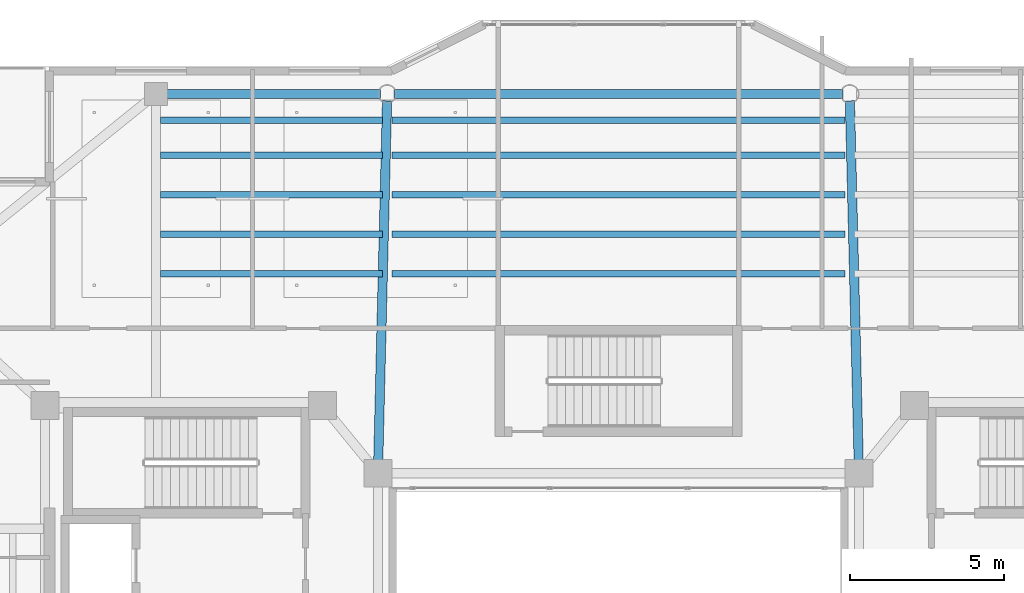
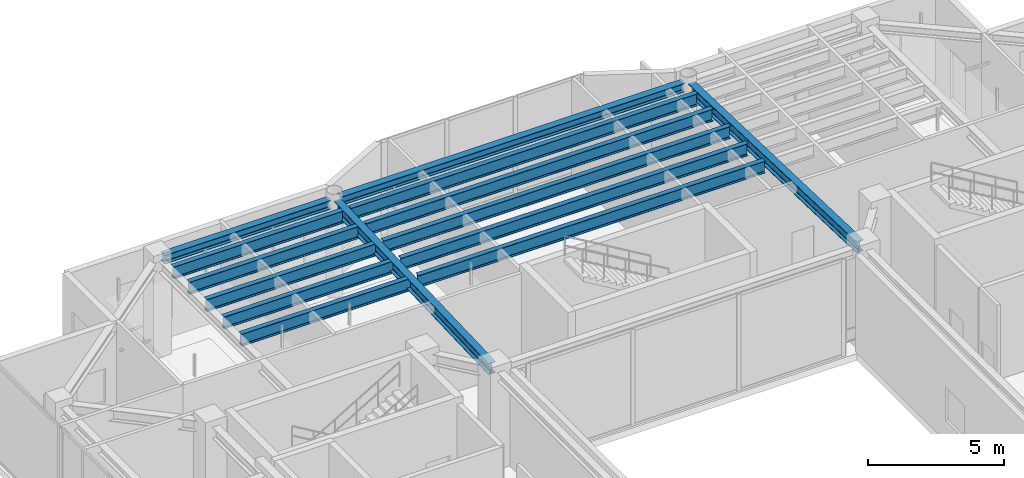
# One storey, part 18 of 34: 14 beams.
"""IFC4 building model written with IfcOpenShell, lengths in metres."""

from ifc_helpers import new_model, si_unit, direction, frame, origin, origin_2d, place, context, subcontext, project, spatial, i_section, extrude, material, material_profile, profile_set, type_object, element, save


model = new_model("IFC4")

# Units and contexts
model_context = context("Model", 3, precision=1e-05, world=origin(), true_north=direction((0.0, 1.0)))
body_context = subcontext(model_context, "Body", "Model", "MODEL_VIEW")
ifc_project = project(units=[si_unit("LENGTHUNIT", "METRE"), si_unit("AREAUNIT", "SQUARE_METRE"), si_unit("VOLUMEUNIT", "CUBIC_METRE"), si_unit("PLANEANGLEUNIT", "RADIAN"), si_unit("MASSUNIT", "GRAM", prefix="KILO")], contexts=[model_context])

# Site, building, storey
site_placement = place(None, origin())
site = spatial("IfcSite", under=ifc_project, at=site_placement, CompositionType="ELEMENT")
building_placement = place(site_placement, origin())
building = spatial("IfcBuilding", under=site, at=building_placement, Name="Tarnavaz Court Tower", CompositionType="ELEMENT")
storey_placement = place(building_placement, frame((0.0, 0.0, 231.75)))
storey = spatial("IfcBuildingStorey", under=building, at=storey_placement, Name="L63", CompositionType="ELEMENT", Elevation=231.75)

# Beams
ifc_material = material(Name="Steel S355", Category="steel")
ifc_material_profile_1 = material_profile(ifc_material, i_section(OverallWidth=0.300048828125, OverallDepth=0.5, WebThickness=0.014404296875, FlangeThickness=0.028076171875, FilletRadius=0.027099609375, at=origin_2d()), Name="HEB 500")
ifc_profile_set_1 = profile_set([ifc_material_profile_1], Name="Steel S355")
beam_type_1 = type_object("IfcBeamType", Name="BM-G-HEB500", PredefinedType="USERDEFINED", material=ifc_profile_set_1)
for number, where, z_axis, x_axis, name in (
    (1, (-7.794677734375, 8.02001953125, 4.10009765625), (0.024386002211, 0.99970261723, 0.0), (-0.99970261723, 0.024386002211, 0.0), "L63 Beam RG-02"),
    (2, (7.794677734375, 8.02001953125, 4.10009765625), (-0.024386002211, 0.99970261723, 0.0), (-0.99970261723, -0.024386002211, 0.0), "L63 Beam RG-03"),
):
    element("IfcBeam", number, at=place(storey_placement, frame(where, z_axis=z_axis, x_axis=x_axis)), inside=storey, type_object=beam_type_1, Name=name, ObjectType="GIRDER", PredefinedType="USERDEFINED", context=body_context, shape_type="SweptSolid", body=[
        extrude(i_section(OverallWidth=0.300048828125, OverallDepth=0.5, WebThickness=0.014404296875, FlangeThickness=0.028076171875, FilletRadius=0.027099609375, at=origin_2d()), origin(), (0.0, 0.0, 1.0), 11.863525390625),
    ])
ifc_material_profile_2 = material_profile(ifc_material, i_section(OverallWidth=0.2099609375, OverallDepth=0.550048828125, WebThickness=0.010986328125, FlangeThickness=0.01708984375, FilletRadius=0.02392578125, at=origin_2d()), Name="IPE 550")
ifc_profile_set_2 = profile_set([ifc_material_profile_2], Name="Steel S355")
beam_type_2 = type_object("IfcBeamType", Name="BM-J-IPE550", PredefinedType="JOIST", material=ifc_profile_set_2)
beam_1_placement = place(storey_placement, frame((-14.85009765625, 14.278076171875, 4.074951171875), z_axis=(1.0, 0.0, 0.0), x_axis=(0.0, 1.0, 0.0)))
element("IfcBeam", 3, at=beam_1_placement, inside=storey, type_object=beam_type_2, Name="L63 Beam JN1-1", PredefinedType="JOIST", context=body_context, shape_type="SweptSolid", body=[
    extrude(i_section(OverallWidth=0.2099609375, OverallDepth=0.550048828125, WebThickness=0.010986328125, FlangeThickness=0.01708984375, FilletRadius=0.02392578125, at=origin_2d()), origin(), (0.0, 0.0, 1.0), 7.2001953125),
])
beam_2_placement = place(storey_placement, frame((-7.35009765625, 14.278076171875, 4.074951171875), z_axis=(1.0, 0.0, 0.0), x_axis=(0.0, 1.0, 0.0)))
element("IfcBeam", 4, at=beam_2_placement, inside=storey, type_object=beam_type_2, Name="L63 Beam JN1-2", PredefinedType="JOIST", context=body_context, shape_type="SweptSolid", body=[
    extrude(i_section(OverallWidth=0.2099609375, OverallDepth=0.550048828125, WebThickness=0.010986328125, FlangeThickness=0.01708984375, FilletRadius=0.02392578125, at=origin_2d()), origin(), (0.0, 0.0, 1.0), 14.7001953125),
])
beam_3_placement = place(storey_placement, frame((-14.85009765625, 15.555908203125, 4.074951171875), z_axis=(1.0, 0.0, 0.0), x_axis=(0.0, 1.0, 0.0)))
element("IfcBeam", 5, at=beam_3_placement, inside=storey, type_object=beam_type_2, Name="L63 Beam JN2-1", PredefinedType="JOIST", context=body_context, shape_type="SweptSolid", body=[
    extrude(i_section(OverallWidth=0.2099609375, OverallDepth=0.550048828125, WebThickness=0.010986328125, FlangeThickness=0.01708984375, FilletRadius=0.02392578125, at=origin_2d()), origin(), (0.0, 0.0, 1.0), 7.2001953125),
])
beam_4_placement = place(storey_placement, frame((-7.35009765625, 15.555908203125, 4.074951171875), z_axis=(1.0, 0.0, 0.0), x_axis=(0.0, 1.0, 0.0)))
element("IfcBeam", 6, at=beam_4_placement, inside=storey, type_object=beam_type_2, Name="L63 Beam JN2-2", PredefinedType="JOIST", context=body_context, shape_type="SweptSolid", body=[
    extrude(i_section(OverallWidth=0.2099609375, OverallDepth=0.550048828125, WebThickness=0.010986328125, FlangeThickness=0.01708984375, FilletRadius=0.02392578125, at=origin_2d()), origin(), (0.0, 0.0, 1.0), 14.7001953125),
])
beam_5_placement = place(storey_placement, frame((-14.85009765625, 16.833984375, 4.074951171875), z_axis=(1.0, 0.0, 0.0), x_axis=(0.0, 1.0, 0.0)))
element("IfcBeam", 7, at=beam_5_placement, inside=storey, type_object=beam_type_2, Name="L63 Beam JN3-1", PredefinedType="JOIST", context=body_context, shape_type="SweptSolid", body=[
    extrude(i_section(OverallWidth=0.2099609375, OverallDepth=0.550048828125, WebThickness=0.010986328125, FlangeThickness=0.01708984375, FilletRadius=0.02392578125, at=origin_2d()), origin(), (0.0, 0.0, 1.0), 7.2001953125),
])
beam_6_placement = place(storey_placement, frame((-7.35009765625, 16.833984375, 4.074951171875), z_axis=(1.0, 0.0, 0.0), x_axis=(0.0, 1.0, 0.0)))
element("IfcBeam", 8, at=beam_6_placement, inside=storey, type_object=beam_type_2, Name="L63 Beam JN3-2", PredefinedType="JOIST", context=body_context, shape_type="SweptSolid", body=[
    extrude(i_section(OverallWidth=0.2099609375, OverallDepth=0.550048828125, WebThickness=0.010986328125, FlangeThickness=0.01708984375, FilletRadius=0.02392578125, at=origin_2d()), origin(), (0.0, 0.0, 1.0), 14.7001953125),
])
beam_7_placement = place(storey_placement, frame((-14.85009765625, 18.112060546875, 4.074951171875), z_axis=(1.0, 0.0, 0.0), x_axis=(0.0, 1.0, 0.0)))
element("IfcBeam", 9, at=beam_7_placement, inside=storey, type_object=beam_type_2, Name="L63 Beam JN4-1", PredefinedType="JOIST", context=body_context, shape_type="SweptSolid", body=[
    extrude(i_section(OverallWidth=0.2099609375, OverallDepth=0.550048828125, WebThickness=0.010986328125, FlangeThickness=0.01708984375, FilletRadius=0.02392578125, at=origin_2d()), origin(), (0.0, 0.0, 1.0), 7.2001953125),
])
beam_8_placement = place(storey_placement, frame((-7.35009765625, 18.112060546875, 4.074951171875), z_axis=(1.0, 0.0, 0.0), x_axis=(0.0, 1.0, 0.0)))
element("IfcBeam", 10, at=beam_8_placement, inside=storey, type_object=beam_type_2, Name="L63 Beam JN4-2", PredefinedType="JOIST", context=body_context, shape_type="SweptSolid", body=[
    extrude(i_section(OverallWidth=0.2099609375, OverallDepth=0.550048828125, WebThickness=0.010986328125, FlangeThickness=0.01708984375, FilletRadius=0.02392578125, at=origin_2d()), origin(), (0.0, 0.0, 1.0), 14.7001953125),
])
beam_9_placement = place(storey_placement, frame((-14.85009765625, 19.248046875, 4.074951171875), z_axis=(1.0, 0.0, 0.0), x_axis=(0.0, 1.0, 0.0)))
element("IfcBeam", 11, at=beam_9_placement, inside=storey, type_object=beam_type_2, Name="L63 Beam JN5-1", PredefinedType="JOIST", context=body_context, shape_type="SweptSolid", body=[
    extrude(i_section(OverallWidth=0.2099609375, OverallDepth=0.550048828125, WebThickness=0.010986328125, FlangeThickness=0.01708984375, FilletRadius=0.02392578125, at=origin_2d()), origin(), (0.0, 0.0, 1.0), 7.2001953125),
])
beam_10_placement = place(storey_placement, frame((-7.35009765625, 19.248046875, 4.074951171875), z_axis=(1.0, 0.0, 0.0), x_axis=(0.0, 1.0, 0.0)))
element("IfcBeam", 12, at=beam_10_placement, inside=storey, type_object=beam_type_2, Name="L63 Beam JN5-2", PredefinedType="JOIST", context=body_context, shape_type="SweptSolid", body=[
    extrude(i_section(OverallWidth=0.2099609375, OverallDepth=0.550048828125, WebThickness=0.010986328125, FlangeThickness=0.01708984375, FilletRadius=0.02392578125, at=origin_2d()), origin(), (0.0, 0.0, 1.0), 14.7001953125),
])
ifc_material_profile_3 = material_profile(ifc_material, i_section(OverallWidth=0.300048828125, OverallDepth=0.389892578125, WebThickness=0.010986328125, FlangeThickness=0.01904296875, FilletRadius=0.027099609375, at=origin_2d()), Name="HEA 400")
ifc_profile_set_3 = profile_set([ifc_material_profile_3], Name="Steel S355")
beam_type_3 = type_object("IfcBeamType", Name="BM-SP-HEA400", PredefinedType="BEAM", material=ifc_profile_set_3)
beam_11_placement = place(storey_placement, frame((-14.780029296875, 20.10009765625, 4.155029296875), z_axis=(1.0, 0.0, 0.0), x_axis=(0.0, 1.0, 0.0)))
element("IfcBeam", 13, at=beam_11_placement, inside=storey, type_object=beam_type_3, Name="L63 Beam PR-PN-1-PN-2", PredefinedType="BEAM", context=body_context, shape_type="SweptSolid", body=[
    extrude(i_section(OverallWidth=0.300048828125, OverallDepth=0.389892578125, WebThickness=0.010986328125, FlangeThickness=0.01904296875, FilletRadius=0.027099609375, at=origin_2d()), origin(), (0.0, 0.0, 1.0), 7.06005859375),
])
beam_12_placement = place(storey_placement, frame((-7.280029296875, 20.10009765625, 4.155029296875), z_axis=(1.0, 0.0, 0.0), x_axis=(0.0, 1.0, 0.0)))
element("IfcBeam", 14, at=beam_12_placement, inside=storey, type_object=beam_type_3, Name="L63 Beam PR-PN-2-PN-3", PredefinedType="BEAM", context=body_context, shape_type="SweptSolid", body=[
    extrude(i_section(OverallWidth=0.300048828125, OverallDepth=0.389892578125, WebThickness=0.010986328125, FlangeThickness=0.01904296875, FilletRadius=0.027099609375, at=origin_2d()), origin(), (0.0, 0.0, 1.0), 14.56005859375),
])

save(model, "model.ifc")
